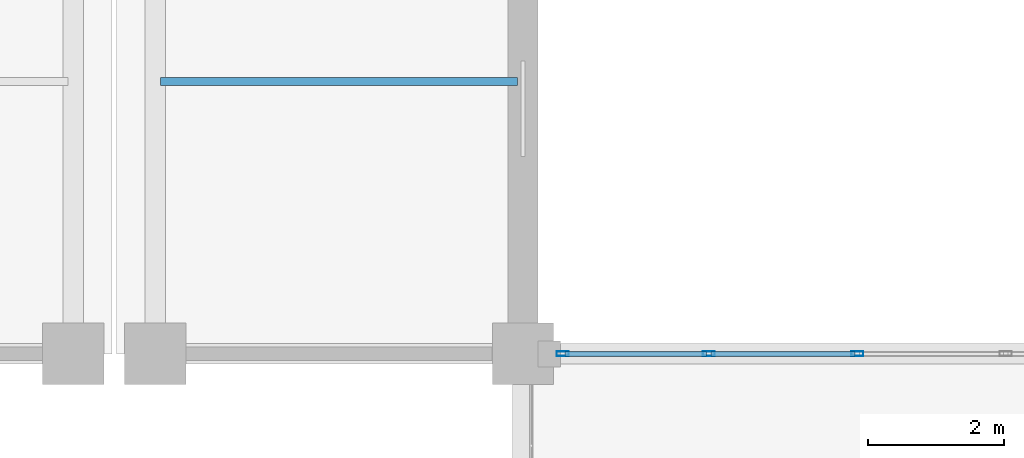
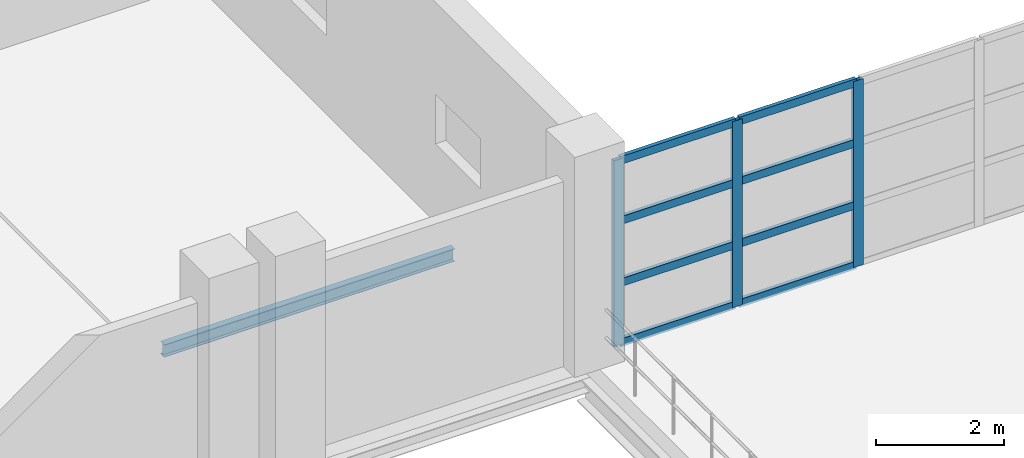
# One storey, part 119 of 158: 11 members, 1 beam, 1 element without a shape of its own.
"""IFC4 building model written with IfcOpenShell, lengths in metres."""

from ifc_helpers import new_model, si_unit, direction, frame, origin, origin_2d, place, context, subcontext, project, spatial, hollow_rectangle, i_section, extrude, material, layer, layer_set, material_profile, profile_set, type_object, element, aggregate, save


model = new_model("IFC4")

# Units and contexts
model_context = context("Model", 3, precision=1e-05, world=origin(), true_north=direction((0.0, 1.0)))
body_context = subcontext(model_context, "Body", "Model", "MODEL_VIEW")
ifc_project = project(units=[si_unit("LENGTHUNIT", "METRE"), si_unit("AREAUNIT", "SQUARE_METRE"), si_unit("VOLUMEUNIT", "CUBIC_METRE"), si_unit("PLANEANGLEUNIT", "RADIAN"), si_unit("MASSUNIT", "GRAM", prefix="KILO")], contexts=[model_context])

# Site, building, storey
site_placement = place(None, origin())
site = spatial("IfcSite", under=ifc_project, at=site_placement, CompositionType="ELEMENT")
building_placement = place(site_placement, origin())
building = spatial("IfcBuilding", under=site, at=building_placement, Name="Zilviju Railside Exhibition Hall", CompositionType="ELEMENT")
storey_placement = place(building_placement, frame((0.0, 0.0, 4.199951171875)))
storey = spatial("IfcBuildingStorey", under=building, at=storey_placement, Name="L02", CompositionType="ELEMENT", Elevation=4.199951171875)

# Beam
ifc_material_1 = material(Name="Steel S355J2", Category="steel")
ifc_material_profile_1 = material_profile(ifc_material_1, i_section(OverallWidth=0.1201171875, OverallDepth=0.239990234375, WebThickness=0.006103515625, FlangeThickness=0.009765625, at=origin_2d()), Name="IPE 240")
ifc_profile_set_1 = profile_set([ifc_material_profile_1], Name="Steel S355J2")
beam_type = type_object("IfcBeamType", Name="BM-IPE240", PredefinedType="JOIST", material=ifc_profile_set_1)
beam_placement = place(storey_placement, frame((174.679931640625, 142.0, -0.449951171875), z_axis=(1.0, 0.0, 0.0), x_axis=(0.0, 1.0, 0.0)))
element("IfcBeam", 1, at=beam_placement, inside=storey, type_object=beam_type, Name="Composite Floor Joist L02 Y=142.00 (174.6..180.0)", PredefinedType="JOIST", context=body_context, shape_type="SweptSolid", body=[
    extrude(i_section(OverallWidth=0.1201171875, OverallDepth=0.239990234375, WebThickness=0.006103515625, FlangeThickness=0.009765625, at=origin_2d()), origin(), (0.0, 0.0, 1.0), 5.239990234375),
])

# Curtain wall, members
ifc_material_2 = material(Name="Thermally broken aluminium-steel triple-glazed curtain wall", Category="steel")
ifc_layer = layer(ifc_material_2, 0.179931640625)
ifc_layer_set = layer_set([ifc_layer], Name="Thermally broken aluminium-steel triple-glazed curtain wall")
curtain_wall_type = type_object("IfcCurtainWallType", Name="CW-BAY-13", PredefinedType="USERDEFINED", material=ifc_layer_set)
curtain_wall_placement = place(storey_placement, origin())
curtain_wall = element("IfcCurtainWall", 2, at=curtain_wall_placement, inside=storey, type_object=curtain_wall_type, Name="North Hall Clerestory Curtain Wall L02 (180..192)", ObjectType="GLAZED CURTAIN WALL", PredefinedType="USERDEFINED")
ifc_material_3 = material(Name="Thermally broken anodized aluminium mullion", Category="aluminium")
ifc_material_profile_2 = material_profile(ifc_material_3, hollow_rectangle(XDim=0.070068359375, YDim=0.179931640625, WallThickness=0.0048828125, at=origin_2d()), Name="MULLION 180x70x5")
ifc_profile_set_2 = profile_set([ifc_material_profile_2], Name="Thermally broken anodized aluminium mullion")
member_type_1 = type_object("IfcMemberType", Name="CWM-70x180", PredefinedType="MULLION", material=ifc_profile_set_2)
member_1_placement = place(storey_placement, frame((180.5849609375, 138.0, 0.0), z_axis=(0.0, 0.0, 1.0), x_axis=(0.0, 1.0, 0.0)))
member_1 = element("IfcMember", 3, at=member_1_placement, type_object=member_type_1, Name="CW-13 mullion 1", PredefinedType="MULLION", context=body_context, shape_type="SweptSolid", body=[
    extrude(hollow_rectangle(XDim=0.070068359375, YDim=0.179931640625, WallThickness=0.0048828125, at=origin_2d()), origin(), (0.0, 0.0, 1.0), 3.550048828125),
])
member_2_placement = place(storey_placement, frame((182.72998046875, 138.0, 0.0), z_axis=(0.0, 0.0, 1.0), x_axis=(0.0, 1.0, 0.0)))
member_2 = element("IfcMember", 4, at=member_2_placement, type_object=member_type_1, Name="CW-13 mullion 2", PredefinedType="MULLION", context=body_context, shape_type="SweptSolid", body=[
    extrude(hollow_rectangle(XDim=0.070068359375, YDim=0.179931640625, WallThickness=0.0048828125, at=origin_2d()), origin(), (0.0, 0.0, 1.0), 3.550048828125),
])
member_3_placement = place(storey_placement, frame((184.909912109375, 138.0, 0.0), z_axis=(0.0, 0.0, 1.0), x_axis=(0.0, 1.0, 0.0)))
member_3 = element("IfcMember", 5, at=member_3_placement, type_object=member_type_1, Name="CW-13 mullion 3", PredefinedType="MULLION", context=body_context, shape_type="SweptSolid", body=[
    extrude(hollow_rectangle(XDim=0.070068359375, YDim=0.179931640625, WallThickness=0.0048828125, at=origin_2d()), origin(), (0.0, 0.0, 1.0), 3.550048828125),
])
ifc_material_4 = material(Name="Thermally broken anodized aluminium transom", Category="aluminium")
ifc_material_profile_3 = material_profile(ifc_material_4, hollow_rectangle(XDim=0.070068359375, YDim=0.14990234375, WallThickness=0.0048828125, at=origin_2d()), Name="TRANSOM 150x70x5")
ifc_profile_set_3 = profile_set([ifc_material_profile_3], Name="Thermally broken anodized aluminium transom")
member_type_2 = type_object("IfcMemberType", Name="CWT-70x150", PredefinedType="USERDEFINED", material=ifc_profile_set_3)
member_4_placement = place(storey_placement, frame((180.6201171875, 138.0, 0.03515625), z_axis=(1.0, 0.0, 0.0), x_axis=(0.0, 1.0, 0.0)))
member_4 = element("IfcMember", 6, at=member_4_placement, type_object=member_type_2, Name="CW-13 transom 1.1", ObjectType="TRANSOM", PredefinedType="USERDEFINED", context=body_context, shape_type="SweptSolid", body=[
    extrude(hollow_rectangle(XDim=0.070068359375, YDim=0.14990234375, WallThickness=0.0048828125, at=origin_2d()), origin(), (0.0, 0.0, 1.0), 2.074951171875),
])
member_5_placement = place(storey_placement, frame((180.6201171875, 138.0, 1.18310546875), z_axis=(1.0, 0.0, 0.0), x_axis=(0.0, 1.0, 0.0)))
member_5 = element("IfcMember", 7, at=member_5_placement, type_object=member_type_2, Name="CW-13 transom 1.2", ObjectType="TRANSOM", PredefinedType="USERDEFINED", context=body_context, shape_type="SweptSolid", body=[
    extrude(hollow_rectangle(XDim=0.070068359375, YDim=0.14990234375, WallThickness=0.0048828125, at=origin_2d()), origin(), (0.0, 0.0, 1.0), 2.074951171875),
])
member_6_placement = place(storey_placement, frame((180.6201171875, 138.0, 2.366943359375), z_axis=(1.0, 0.0, 0.0), x_axis=(0.0, 1.0, 0.0)))
member_6 = element("IfcMember", 8, at=member_6_placement, type_object=member_type_2, Name="CW-13 transom 1.3", ObjectType="TRANSOM", PredefinedType="USERDEFINED", context=body_context, shape_type="SweptSolid", body=[
    extrude(hollow_rectangle(XDim=0.070068359375, YDim=0.14990234375, WallThickness=0.0048828125, at=origin_2d()), origin(), (0.0, 0.0, 1.0), 2.074951171875),
])
member_7_placement = place(storey_placement, frame((180.6201171875, 138.0, 3.51513671875), z_axis=(1.0, 0.0, 0.0), x_axis=(0.0, 1.0, 0.0)))
member_7 = element("IfcMember", 9, at=member_7_placement, type_object=member_type_2, Name="CW-13 transom 1.4", ObjectType="TRANSOM", PredefinedType="USERDEFINED", context=body_context, shape_type="SweptSolid", body=[
    extrude(hollow_rectangle(XDim=0.070068359375, YDim=0.14990234375, WallThickness=0.0048828125, at=origin_2d()), origin(), (0.0, 0.0, 1.0), 2.074951171875),
])
member_8_placement = place(storey_placement, frame((182.764892578125, 138.0, 0.03515625), z_axis=(1.0, 0.0, 0.0), x_axis=(0.0, 1.0, 0.0)))
member_8 = element("IfcMember", 10, at=member_8_placement, type_object=member_type_2, Name="CW-13 transom 2.1", ObjectType="TRANSOM", PredefinedType="USERDEFINED", context=body_context, shape_type="SweptSolid", body=[
    extrude(hollow_rectangle(XDim=0.070068359375, YDim=0.14990234375, WallThickness=0.0048828125, at=origin_2d()), origin(), (0.0, 0.0, 1.0), 2.110107421875),
])
member_9_placement = place(storey_placement, frame((182.764892578125, 138.0, 1.18310546875), z_axis=(1.0, 0.0, 0.0), x_axis=(0.0, 1.0, 0.0)))
member_9 = element("IfcMember", 11, at=member_9_placement, type_object=member_type_2, Name="CW-13 transom 2.2", ObjectType="TRANSOM", PredefinedType="USERDEFINED", context=body_context, shape_type="SweptSolid", body=[
    extrude(hollow_rectangle(XDim=0.070068359375, YDim=0.14990234375, WallThickness=0.0048828125, at=origin_2d()), origin(), (0.0, 0.0, 1.0), 2.110107421875),
])
member_10_placement = place(storey_placement, frame((182.764892578125, 138.0, 2.366943359375), z_axis=(1.0, 0.0, 0.0), x_axis=(0.0, 1.0, 0.0)))
member_10 = element("IfcMember", 12, at=member_10_placement, type_object=member_type_2, Name="CW-13 transom 2.3", ObjectType="TRANSOM", PredefinedType="USERDEFINED", context=body_context, shape_type="SweptSolid", body=[
    extrude(hollow_rectangle(XDim=0.070068359375, YDim=0.14990234375, WallThickness=0.0048828125, at=origin_2d()), origin(), (0.0, 0.0, 1.0), 2.110107421875),
])
member_11_placement = place(storey_placement, frame((182.764892578125, 138.0, 3.51513671875), z_axis=(1.0, 0.0, 0.0), x_axis=(0.0, 1.0, 0.0)))
member_11 = element("IfcMember", 13, at=member_11_placement, type_object=member_type_2, Name="CW-13 transom 2.4", ObjectType="TRANSOM", PredefinedType="USERDEFINED", context=body_context, shape_type="SweptSolid", body=[
    extrude(hollow_rectangle(XDim=0.070068359375, YDim=0.14990234375, WallThickness=0.0048828125, at=origin_2d()), origin(), (0.0, 0.0, 1.0), 2.110107421875),
])
aggregate(curtain_wall, [member_1, member_2, member_3, member_4, member_5, member_6, member_7, member_8, member_9, member_10, member_11])

save(model, "model.ifc")
